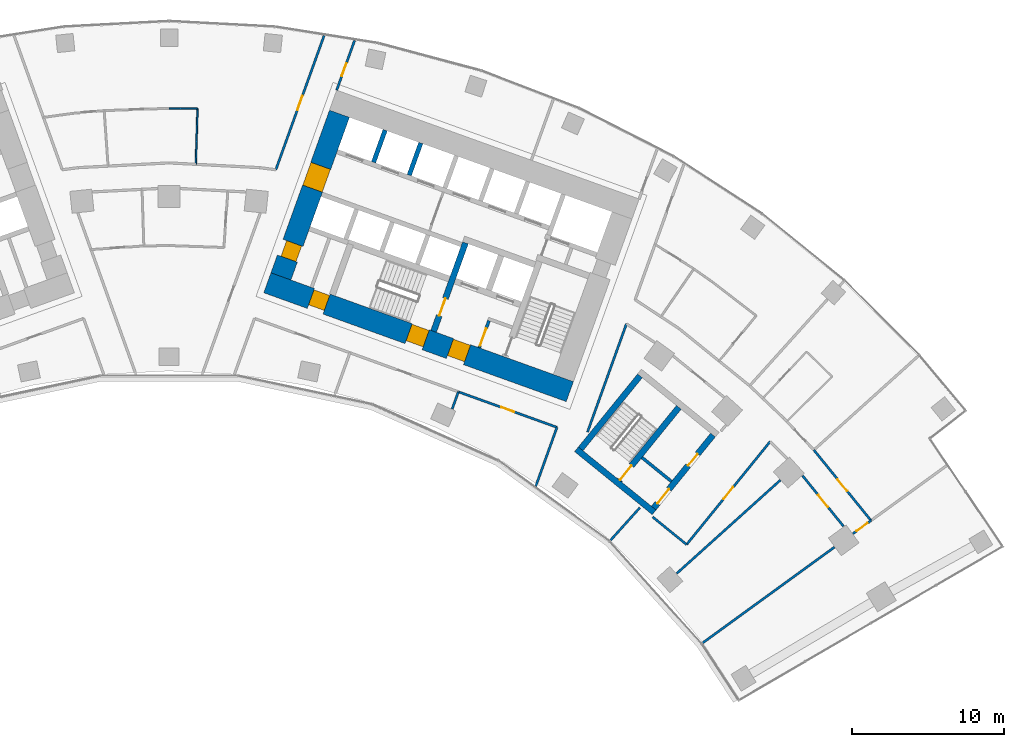
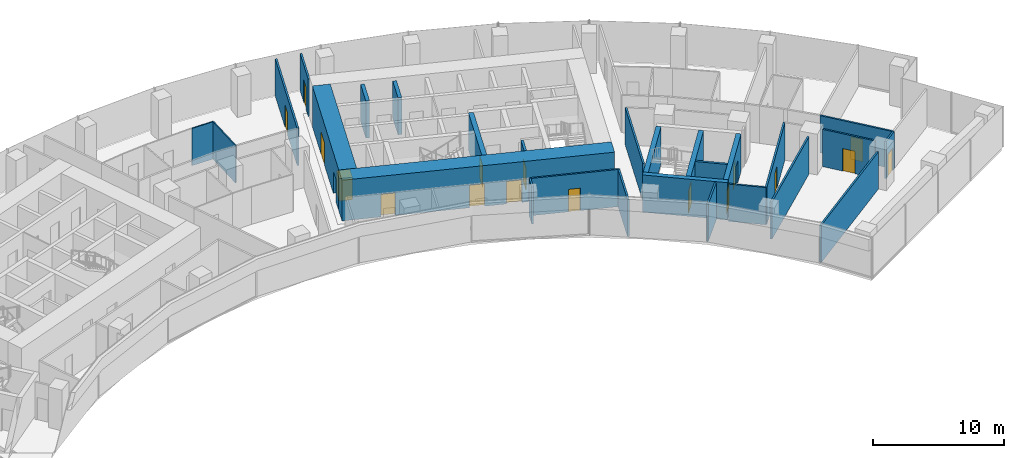
# One storey, part 16 of 21: 27 walls, 17 doors, 17 openings.
"""IFC4 building model written with IfcOpenShell, lengths in metres."""

from ifc_helpers import new_model, si_unit, direction, frame, frame_2d, origin, place, context, subcontext, project, spatial, rectangle, extrude, material, layer, layer_set, type_object, element, fill, save


model = new_model("IFC4")

# Units and contexts
model_context = context("Model", 3, precision=1e-05, world=origin(), true_north=direction((0.0, 1.0)))
body_context = subcontext(model_context, "Body", "Model", "MODEL_VIEW")
ifc_project = project(units=[si_unit("LENGTHUNIT", "METRE"), si_unit("AREAUNIT", "SQUARE_METRE"), si_unit("VOLUMEUNIT", "CUBIC_METRE"), si_unit("PLANEANGLEUNIT", "RADIAN"), si_unit("MASSUNIT", "GRAM", prefix="KILO")], contexts=[model_context])

# Site, building, storey
site_placement = place(None, origin())
site = spatial("IfcSite", under=ifc_project, at=site_placement, CompositionType="ELEMENT")
building_placement = place(site_placement, origin())
building = spatial("IfcBuilding", under=site, at=building_placement, Name="Stone Belt Terrace Tower", CompositionType="ELEMENT")
storey_placement = place(building_placement, frame((0.0, 0.0, 117.39990234375)))
storey = spatial("IfcBuildingStorey", under=building, at=storey_placement, Name="L28", CompositionType="ELEMENT", Elevation=117.39990234375)

# Wall, openings, doors
ifc_material_1 = material(Name="Concrete B80", Category="concrete")
ifc_layer_1 = layer(ifc_material_1, 1.39990234375)
ifc_layer_set_1 = layer_set([ifc_layer_1], Name="Core wall 1400 B80")
wall_type_1 = type_object("IfcWallType", Name="Core wall 1400 B80", PredefinedType="SHEAR", material=ifc_layer_set_1)
wall_1_placement = place(storey_placement, frame((6.4833984375, 49.318115234375, 0.0), z_axis=(0.0, 0.0, 1.0), x_axis=(0.940923374003, -0.33861955681, 0.0)))
wall_1 = element("IfcWall", 1, at=wall_1_placement, inside=storey, type_object=wall_type_1, Name="Core B wall concave L28", PredefinedType="SHEAR", context=body_context, shape_type="SweptSolid", body=[
    extrude(rectangle(XDim=21.199951171875, YDim=1.39990234375, at=frame_2d((10.60009765625, 0.0))), origin(), (0.0, 0.0, 1.0), 3.800048828125),
])
opening_1_placement = place(wall_1_placement, frame((12.800048828125, 0.0, 0.0)))
opening_1 = element("IfcOpeningElement", 2, at=opening_1_placement, cuts=wall_1, Name="Opening L28-C18", PredefinedType="OPENING", context=body_context, shape_type="SweptSolid", body=[
    extrude(rectangle(XDim=1.199951171875, YDim=2.10009765625, at=frame_2d((0.60009765625, 1.050048828125))), frame((0.0, 0.7099609375, 0.0), z_axis=(0.0, -1.0, 0.0), x_axis=(1.0, 0.0, 0.0)), (0.0, 0.0, 1.0), 1.419921875),
])
opening_2_placement = place(wall_1_placement, frame((9.89990234375, 0.0, 0.0)))
opening_2 = element("IfcOpeningElement", 3, at=opening_2_placement, cuts=wall_1, Name="Opening L28-C20", PredefinedType="OPENING", context=body_context, shape_type="SweptSolid", body=[
    extrude(rectangle(XDim=1.199951171875, YDim=2.10009765625, at=frame_2d((0.60009765625, 1.050048828125))), frame((0.0, 0.7099609375, 0.0), z_axis=(0.0, -1.0, 0.0), x_axis=(1.0, 0.0, 0.0)), (0.0, 0.0, 1.0), 1.419921875),
])
opening_3_placement = place(wall_1_placement, frame((3.050048828125, 0.0, 0.0)))
opening_3 = element("IfcOpeningElement", 4, at=opening_3_placement, cuts=wall_1, Name="Opening L28-C22", PredefinedType="OPENING", context=body_context, shape_type="SweptSolid", body=[
    extrude(rectangle(XDim=1.10009765625, YDim=2.10009765625, at=frame_2d((0.550048828125, 1.050048828125))), frame((0.0, 0.7099609375, 0.0), z_axis=(0.0, -1.0, 0.0), x_axis=(1.0, 0.0, 0.0)), (0.0, 0.0, 1.0), 1.419921875),
])
ifc_material_2 = material(Name="Timber door leaf", Category="wood")
door_type_1 = type_object("IfcDoorType", Name="Core room door 1100", OperationType="SINGLE_SWING_LEFT", PredefinedType="DOOR", material=ifc_material_2)
door_1_placement = place(opening_3_placement, origin())
door_1 = element("IfcDoor", 5, at=door_1_placement, inside=storey, type_object=door_type_1, Name="Door to Communications riser room core B", OperationType="SINGLE_SWING_RIGHT", OverallHeight=2.10009765625, OverallWidth=1.10009765625, PredefinedType="DOOR", context=body_context, shape_type="SweptSolid", body=[
    extrude(rectangle(XDim=1.10009765625, YDim=2.10009765625, at=frame_2d((0.550048828125, 1.050048828125))), frame((0.0, 0.60498046875, 0.0), z_axis=(0.0, -1.0, 0.0), x_axis=(1.0, 0.0, 0.0)), (0.0, 0.0, 1.0), 1.050048828125),
])
fill(opening_3, door_1)
ifc_material_3 = material(Name="Steel door leaf", Category="steel")
door_type_2 = type_object("IfcDoorType", Name="Fire-fighting lobby door 1200", OperationType="SINGLE_SWING_LEFT", PredefinedType="DOOR", material=ifc_material_3)
door_2_placement = place(opening_1_placement, origin())
door_2 = element("IfcDoor", 6, at=door_2_placement, inside=storey, type_object=door_type_2, Name="Fire-fighting lobby door core B", OperationType="SINGLE_SWING_RIGHT", OverallHeight=2.10009765625, OverallWidth=1.199951171875, PredefinedType="DOOR", context=body_context, shape_type="SweptSolid", body=[
    extrude(rectangle(XDim=1.199951171875, YDim=2.10009765625, at=frame_2d((0.60009765625, 1.050048828125))), frame((0.0, 0.655029296875, 0.0), z_axis=(0.0, -1.0, 0.0), x_axis=(1.0, 0.0, 0.0)), (0.0, 0.0, 1.0), 1.14990234375),
])
fill(opening_1, door_2)
door_type_3 = type_object("IfcDoorType", Name="Stair door 1200", OperationType="SINGLE_SWING_LEFT", PredefinedType="DOOR", material=ifc_material_3)
door_3_placement = place(opening_2_placement, origin())
door_3 = element("IfcDoor", 7, at=door_3_placement, inside=storey, type_object=door_type_3, Name="Stair 2 exit door core B", OperationType="SINGLE_SWING_LEFT", OverallHeight=2.10009765625, OverallWidth=1.199951171875, PredefinedType="DOOR", context=body_context, shape_type="SweptSolid", body=[
    extrude(rectangle(XDim=1.199951171875, YDim=2.10009765625, at=frame_2d((0.60009765625, 1.050048828125))), frame((0.0, 0.655029296875, 0.0), z_axis=(0.0, -1.0, 0.0), x_axis=(1.0, 0.0, 0.0)), (0.0, 0.0, 1.0), 1.14990234375),
])
fill(opening_2, door_3)

wall_2_placement = place(storey_placement, frame((7.379150390625, 49.73974609375, 0.0), z_axis=(0.0, 0.0, 1.0), x_axis=(0.338625431531, 0.940921259788, 0.0)))
wall_2 = element("IfcWall", 8, at=wall_2_placement, inside=storey, type_object=wall_type_1, Name="Core B wall end_a L28", PredefinedType="SHEAR", context=body_context, shape_type="SweptSolid", body=[
    extrude(rectangle(XDim=11.400146484375, YDim=1.39990234375, at=frame_2d((5.7001953125, 0.0))), origin(), (0.0, 0.0, 1.0), 3.800048828125),
])
opening_4_placement = place(wall_2_placement, frame((6.14990234375, 0.0, 0.0)))
opening_4 = element("IfcOpeningElement", 9, at=opening_4_placement, cuts=wall_2, Name="Opening L28-C15", PredefinedType="OPENING", context=body_context, shape_type="SweptSolid", body=[
    extrude(rectangle(XDim=1.60009765625, YDim=2.10009765625, at=frame_2d((0.800048828125, 1.050048828125))), frame((0.0, 0.7099609375, 0.0), z_axis=(0.0, -1.0, 0.0), x_axis=(1.0, 0.0, 0.0)), (0.0, 0.0, 1.0), 1.419921875),
])
opening_5_placement = place(wall_2_placement, frame((1.25, 0.0, 0.0)))
opening_5 = element("IfcOpeningElement", 10, at=opening_5_placement, cuts=wall_2, Name="Opening L28-C21", PredefinedType="OPENING", context=body_context, shape_type="SweptSolid", body=[
    extrude(rectangle(XDim=1.10009765625, YDim=2.10009765625, at=frame_2d((0.550048828125, 1.050048828125))), frame((0.0, 0.7099609375, 0.0), z_axis=(0.0, -1.0, 0.0), x_axis=(1.0, 0.0, 0.0)), (0.0, 0.0, 1.0), 1.419921875),
])
door_4_placement = place(opening_5_placement, origin())
door_4 = element("IfcDoor", 11, at=door_4_placement, inside=storey, type_object=door_type_1, Name="Door to Cleaner's store core B", OperationType="SINGLE_SWING_LEFT", OverallHeight=2.10009765625, OverallWidth=1.10009765625, PredefinedType="DOOR", context=body_context, shape_type="SweptSolid", body=[
    extrude(rectangle(XDim=1.10009765625, YDim=2.10009765625, at=frame_2d((0.550048828125, 1.050048828125))), frame((0.0, 0.44482421875, 0.0), z_axis=(0.0, -1.0, 0.0), x_axis=(1.0, 0.0, 0.0)), (0.0, 0.0, 1.0), 1.050048828125),
])
fill(opening_5, door_4)
ifc_material_4 = material(Name="Glazed aluminium door leaf", Category="aluminium")
door_type_4 = type_object("IfcDoorType", Name="Lift lobby entrance door 1600", OperationType="DOUBLE_DOOR_SINGLE_SWING", PredefinedType="DOOR", material=ifc_material_4)
door_5_placement = place(opening_4_placement, origin())
door_5 = element("IfcDoor", 12, at=door_5_placement, inside=storey, type_object=door_type_4, Name="Lift lobby entrance door core B", OperationType="DOUBLE_DOOR_SINGLE_SWING", OverallHeight=2.10009765625, OverallWidth=1.60009765625, PredefinedType="DOOR", context=body_context, shape_type="SweptSolid", body=[
    extrude(rectangle(XDim=1.60009765625, YDim=2.10009765625, at=frame_2d((0.800048828125, 1.050048828125))), frame((0.0, 0.68017578125, 0.0), z_axis=(0.0, -1.0, 0.0), x_axis=(1.0, 0.0, 0.0)), (0.0, 0.0, 1.0), 1.360107421875),
])
fill(opening_4, door_5)

# Walls
ifc_layer_2 = layer(ifc_material_1, 0.300048828125)
ifc_layer_set_2 = layer_set([ifc_layer_2], Name="Lift shaft wall 300")
wall_type_2 = type_object("IfcWallType", Name="Lift shaft wall 300", PredefinedType="SHEAR", material=ifc_layer_set_2)
wall_3_placement = place(storey_placement, frame((15.8408203125, 56.419189453125, 0.0), z_axis=(0.0, 0.0, 1.0), x_axis=(0.338569601369, 0.940941350472, 0.0)))
element("IfcWall", 13, at=wall_3_placement, inside=storey, type_object=wall_type_2, Name="Core B wall", PredefinedType="SHEAR", context=body_context, shape_type="SweptSolid", body=[
    extrude(rectangle(XDim=2.249755859375, YDim=0.300048828125, at=frame_2d((1.125, 0.0))), origin(), (0.0, 0.0, 1.0), 3.47998046875),
])
wall_4_placement = place(storey_placement, frame((13.48828125, 57.265625, 0.0), z_axis=(0.0, 0.0, 1.0), x_axis=(0.338631098537, 0.940919220286, 0.0)))
element("IfcWall", 14, at=wall_4_placement, inside=storey, type_object=wall_type_2, Name="Core B wall", PredefinedType="SHEAR", context=body_context, shape_type="SweptSolid", body=[
    extrude(rectangle(XDim=2.250244140625, YDim=0.300048828125, at=frame_2d((1.125, 0.0))), origin(), (0.0, 0.0, 1.0), 3.47998046875),
])
ifc_material_5 = material(Name="Gypsum board partition")
ifc_layer_3 = layer(ifc_material_5, 0.10009765625)
ifc_layer_set_3 = layer_set([ifc_layer_3], Name="PARTITION 100")
wall_type_3 = type_object("IfcWallType", Name="PARTITION 100", PredefinedType="PARTITIONING", material=ifc_layer_set_3)
wall_5_placement = place(storey_placement, frame((1.762939453125, 57.133056640625, 0.0), z_axis=(0.0, 0.0, 1.0), x_axis=(0.031112039382, 0.999515903328, 0.0)))
element("IfcWall", 15, at=wall_5_placement, inside=storey, type_object=wall_type_3, Name="L28/wall/i102", PredefinedType="PARTITIONING", context=body_context, shape_type="SweptSolid", body=[
    extrude(rectangle(XDim=3.66455078125, YDim=0.10009765625, at=frame_2d((1.832275390625, 0.0))), origin(), (0.0, 0.0, 1.0), 3.47998046875),
])
wall_6_placement = place(storey_placement, frame((1.876953125, 60.7958984375, 0.0), z_axis=(0.0, 0.0, 1.0), x_axis=(-0.999880226939, 0.015476814127, 0.0)))
element("IfcWall", 16, at=wall_6_placement, inside=storey, type_object=wall_type_3, Name="L28/wall/i103", PredefinedType="PARTITIONING", context=body_context, shape_type="SweptSolid", body=[
    extrude(rectangle(XDim=1.877197265625, YDim=0.10009765625, at=frame_2d((0.9384765625, 0.0))), origin(), (0.0, 0.0, 1.0), 3.47998046875),
])

# Wall, opening, door
ifc_layer_4 = layer(ifc_material_5, 0.14990234375)
ifc_layer_set_4 = layer_set([ifc_layer_4], Name="PARTITION 150 EI 60")
wall_type_4 = type_object("IfcWallType", Name="PARTITION 150 EI 60", PredefinedType="PARTITIONING", material=ifc_layer_set_4)
wall_7_placement = place(storey_placement, frame((12.23486328125, 65.297119140625, 0.0), z_axis=(0.0, 0.0, 1.0), x_axis=(-0.338853532575, -0.94083913793, 0.0)))
wall_7 = element("IfcWall", 17, at=wall_7_placement, inside=storey, type_object=wall_type_4, Name="L28/wall/i022", PredefinedType="PARTITIONING", context=body_context, shape_type="SweptSolid", body=[
    extrude(rectangle(XDim=3.482177734375, YDim=0.14990234375, at=frame_2d((1.7412109375, 0.0))), origin(), (0.0, 0.0, 1.0), 3.47998046875),
])
opening_6_placement = place(wall_7_placement, frame((1.58837890625, 0.0, 0.0)))
opening_6 = element("IfcOpeningElement", 18, at=opening_6_placement, cuts=wall_7, Name="Opening D-B4-09", PredefinedType="OPENING", context=body_context, shape_type="SweptSolid", body=[
    extrude(rectangle(XDim=0.89990234375, YDim=2.10009765625, at=frame_2d((0.449951171875, 1.050048828125))), frame((0.0, 0.0849609375, 0.0), z_axis=(0.0, -1.0, 0.0), x_axis=(1.0, 0.0, 0.0)), (0.0, 0.0, 1.0), 0.169921875),
])
door_type_5 = type_object("IfcDoorType", Name="OFFICE DOOR 900 X 2100", OperationType="NOTDEFINED", PredefinedType="DOOR", material=ifc_material_2)
door_6_placement = place(opening_6_placement, origin())
door_6 = element("IfcDoor", 19, at=door_6_placement, inside=storey, type_object=door_type_5, Name="L28/door/i09", OperationType="SINGLE_SWING_RIGHT", OverallHeight=2.10009765625, OverallWidth=0.89990234375, PredefinedType="DOOR", context=body_context, shape_type="SweptSolid", body=[
    extrude(rectangle(XDim=0.89990234375, YDim=2.10009765625, at=frame_2d((0.449951171875, 1.050048828125))), frame((0.0, 0.02490234375, 0.0), z_axis=(0.0, -1.0, 0.0), x_axis=(1.0, 0.0, 0.0)), (0.0, 0.0, 1.0), 0.050048828125),
])
fill(opening_6, door_6)

wall_8_placement = place(storey_placement, frame((7.0390625, 56.76708984375, 0.0), z_axis=(0.0, 0.0, 1.0), x_axis=(0.338637655092, 0.940916860596, 0.0)))
wall_8 = element("IfcWall", 20, at=wall_8_placement, inside=storey, type_object=wall_type_4, Name="L28/wall/i024", PredefinedType="PARTITIONING", context=body_context, shape_type="SweptSolid", body=[
    extrude(rectangle(XDim=9.40478515625, YDim=0.14990234375, at=frame_2d((4.702392578125, 0.0))), origin(), (0.0, 0.0, 1.0), 3.47998046875),
])
opening_7_placement = place(wall_8_placement, frame((4.202392578125, 0.0, 0.0)))
opening_7 = element("IfcOpeningElement", 21, at=opening_7_placement, cuts=wall_8, Name="Opening D-B4-31", PredefinedType="OPENING", context=body_context, shape_type="SweptSolid", body=[
    extrude(rectangle(XDim=1.0, YDim=2.10009765625, at=frame_2d((0.5, 1.050048828125))), frame((0.0, 0.0849609375, 0.0), z_axis=(0.0, -1.0, 0.0), x_axis=(1.0, 0.0, 0.0)), (0.0, 0.0, 1.0), 0.169921875),
])
ifc_material_6 = material(Name="Timber fire door leaf", Category="wood")
door_type_6 = type_object("IfcDoorType", Name="TENANCY ENTRANCE DOOR 1000 X 2100", OperationType="NOTDEFINED", PredefinedType="DOOR", material=ifc_material_6)
door_7_placement = place(opening_7_placement, origin())
door_7 = element("IfcDoor", 22, at=door_7_placement, inside=storey, type_object=door_type_6, Name="L28/door/i31", OperationType="SINGLE_SWING_RIGHT", OverallHeight=2.10009765625, OverallWidth=1.0, PredefinedType="DOOR", context=body_context, shape_type="SweptSolid", body=[
    extrude(rectangle(XDim=1.0, YDim=2.10009765625, at=frame_2d((0.5, 1.050048828125))), frame((0.0, 0.02490234375, 0.0), z_axis=(0.0, -1.0, 0.0), x_axis=(1.0, 0.0, 0.0)), (0.0, 0.0, 1.0), 0.050048828125),
])
fill(opening_7, door_7)

# Walls
wall_9_placement = place(storey_placement, frame((24.18603515625, 35.902099609375, 0.0), z_axis=(0.0, 0.0, 1.0), x_axis=(0.338545933013, 0.940949866486, 0.0)))
element("IfcWall", 23, at=wall_9_placement, inside=storey, type_object=wall_type_4, Name="L28/wall/i025", PredefinedType="PARTITIONING", context=body_context, shape_type="SweptSolid", body=[
    extrude(rectangle(XDim=4.135009765625, YDim=0.14990234375, at=frame_2d((2.0673828125, 0.0))), origin(), (0.0, 0.0, 1.0), 3.47998046875),
])
wall_10_placement = place(storey_placement, frame((30.1669921875, 46.612060546875, 0.0), z_axis=(0.0, 0.0, 1.0), x_axis=(-0.338694393991, -0.940896438233, 0.0)))
element("IfcWall", 24, at=wall_10_placement, inside=storey, type_object=wall_type_4, Name="L28/wall/i027", PredefinedType="PARTITIONING", context=body_context, shape_type="SweptSolid", body=[
    extrude(rectangle(XDim=7.585205078125, YDim=0.14990234375, at=frame_2d((3.79248046875, 0.0))), origin(), (0.0, 0.0, 1.0), 3.47998046875),
])
wall_11_placement = place(storey_placement, frame((31.054931640625, 34.489990234375, 0.0), z_axis=(0.0, 0.0, 1.0), x_axis=(-0.669108362487, -0.743164853347, 0.0)))
element("IfcWall", 25, at=wall_11_placement, inside=storey, type_object=wall_type_4, Name="L28/wall/i028", PredefinedType="PARTITIONING", context=body_context, shape_type="SweptSolid", body=[
    extrude(rectangle(XDim=2.910888671875, YDim=0.14990234375, at=frame_2d((1.45556640625, 0.0))), origin(), (0.0, 0.0, 1.0), 3.47998046875),
])

# Wall, opening, door
wall_12_placement = place(storey_placement, frame((25.583984375, 39.787109375, 0.0), z_axis=(0.0, 0.0, 1.0), x_axis=(-0.940925641698, 0.338613255493, 0.0)))
wall_12 = element("IfcWall", 26, at=wall_12_placement, inside=storey, type_object=wall_type_4, Name="L28/wall/i033", PredefinedType="PARTITIONING", context=body_context, shape_type="SweptSolid", body=[
    extrude(rectangle(XDim=6.918701171875, YDim=0.14990234375, at=frame_2d((3.45947265625, 0.0))), origin(), (0.0, 0.0, 1.0), 3.47998046875),
])
opening_8_placement = place(wall_12_placement, frame((3.00927734375, 0.0, 0.0)))
opening_8 = element("IfcOpeningElement", 27, at=opening_8_placement, cuts=wall_12, Name="Opening D-B4-08", PredefinedType="OPENING", context=body_context, shape_type="SweptSolid", body=[
    extrude(rectangle(XDim=0.89990234375, YDim=2.10009765625, at=frame_2d((0.449951171875, 1.050048828125))), frame((0.0, 0.0849609375, 0.0), z_axis=(0.0, -1.0, 0.0), x_axis=(1.0, 0.0, 0.0)), (0.0, 0.0, 1.0), 0.169921875),
])
door_8_placement = place(opening_8_placement, origin())
door_8 = element("IfcDoor", 28, at=door_8_placement, inside=storey, type_object=door_type_5, Name="L28/door/i08", OperationType="SINGLE_SWING_RIGHT", OverallHeight=2.10009765625, OverallWidth=0.89990234375, PredefinedType="DOOR", context=body_context, shape_type="SweptSolid", body=[
    extrude(rectangle(XDim=0.89990234375, YDim=2.10009765625, at=frame_2d((0.449951171875, 1.050048828125))), frame((0.0, 0.02490234375, 0.0), z_axis=(0.0, -1.0, 0.0), x_axis=(1.0, 0.0, 0.0)), (0.0, 0.0, 1.0), 0.050048828125),
])
fill(opening_8, door_8)

# Wall
wall_13_placement = place(storey_placement, frame((19.080078125, 42.1279296875, 0.0), z_axis=(0.0, 0.0, 1.0), x_axis=(-0.338669018445, -0.940905572279, 0.0)))
element("IfcWall", 29, at=wall_13_placement, inside=storey, type_object=wall_type_4, Name="L28/wall/i035", PredefinedType="PARTITIONING", context=body_context, shape_type="SweptSolid", body=[
    extrude(rectangle(XDim=1.199462890625, YDim=0.14990234375, at=frame_2d((0.599609375, 0.0))), origin(), (0.0, 0.0, 1.0), 3.47998046875),
])

# Wall, opening, door
wall_14_placement = place(storey_placement, frame((46.301025390625, 33.638916015625, 0.0), z_axis=(0.0, 0.0, 1.0), x_axis=(-0.809407972322, -0.587246740597, 0.0)))
wall_14 = element("IfcWall", 30, at=wall_14_placement, inside=storey, type_object=wall_type_4, Name="L28/wall/i054", PredefinedType="PARTITIONING", context=body_context, shape_type="SweptSolid", body=[
    extrude(rectangle(XDim=1.475830078125, YDim=0.14990234375, at=frame_2d((0.73779296875, 0.0))), origin(), (0.0, 0.0, 1.0), 3.47998046875),
])
opening_9_placement = place(wall_14_placement, frame((0.287841796875, 0.0, 0.0)))
opening_9 = element("IfcOpeningElement", 31, at=opening_9_placement, cuts=wall_14, Name="Opening D-B4-18", PredefinedType="OPENING", context=body_context, shape_type="SweptSolid", body=[
    extrude(rectangle(XDim=0.89990234375, YDim=2.10009765625, at=frame_2d((0.449951171875, 1.050048828125))), frame((0.0, 0.0849609375, 0.0), z_axis=(0.0, -1.0, 0.0), x_axis=(1.0, 0.0, 0.0)), (0.0, 0.0, 1.0), 0.169921875),
])
door_9_placement = place(opening_9_placement, origin())
door_9 = element("IfcDoor", 32, at=door_9_placement, inside=storey, type_object=door_type_5, Name="L28/door/i18", OperationType="SINGLE_SWING_RIGHT", OverallHeight=2.10009765625, OverallWidth=0.89990234375, PredefinedType="DOOR", context=body_context, shape_type="SweptSolid", body=[
    extrude(rectangle(XDim=0.89990234375, YDim=2.10009765625, at=frame_2d((0.449951171875, 1.050048828125))), frame((0.0, 0.02490234375, 0.0), z_axis=(0.0, -1.0, 0.0), x_axis=(1.0, 0.0, 0.0)), (0.0, 0.0, 1.0), 0.050048828125),
])
fill(opening_9, door_9)

# Wall
wall_15_placement = place(storey_placement, frame((35.192138671875, 25.568115234375, 0.0), z_axis=(0.0, 0.0, 1.0), x_axis=(0.809024841759, 0.587774451143, 0.0)))
element("IfcWall", 33, at=wall_15_placement, inside=storey, type_object=wall_type_4, Name="L28/wall/i055", PredefinedType="PARTITIONING", context=body_context, shape_type="SweptSolid", body=[
    extrude(rectangle(XDim=10.745361328125, YDim=0.14990234375, at=frame_2d((5.37255859375, 0.0))), origin(), (0.0, 0.0, 1.0), 3.47998046875),
])

# Wall, opening, door
wall_16_placement = place(storey_placement, frame((44.485107421875, 33.253662109375, 0.0), z_axis=(0.0, 0.0, 1.0), x_axis=(-0.629214542808, 0.777231663739, 0.0)))
wall_16 = element("IfcWall", 34, at=wall_16_placement, inside=storey, type_object=wall_type_4, Name="L28/wall/i066", PredefinedType="PARTITIONING", context=body_context, shape_type="SweptSolid", body=[
    extrude(rectangle(XDim=4.304931640625, YDim=0.14990234375, at=frame_2d((2.15234375, 0.0))), origin(), (0.0, 0.0, 1.0), 3.47998046875),
])
opening_10_placement = place(wall_16_placement, frame((1.652587890625, 0.0, 0.0)))
opening_10 = element("IfcOpeningElement", 35, at=opening_10_placement, cuts=wall_16, Name="Opening D-B4-21", PredefinedType="OPENING", context=body_context, shape_type="SweptSolid", body=[
    extrude(rectangle(XDim=1.0, YDim=2.10009765625, at=frame_2d((0.5, 1.050048828125))), frame((0.0, 0.0849609375, 0.0), z_axis=(0.0, -1.0, 0.0), x_axis=(1.0, 0.0, 0.0)), (0.0, 0.0, 1.0), 0.169921875),
])
door_10_placement = place(opening_10_placement, origin())
door_10 = element("IfcDoor", 36, at=door_10_placement, inside=storey, type_object=door_type_6, Name="L28/door/i21", OperationType="SINGLE_SWING_RIGHT", OverallHeight=2.10009765625, OverallWidth=1.0, PredefinedType="DOOR", context=body_context, shape_type="SweptSolid", body=[
    extrude(rectangle(XDim=1.0, YDim=2.10009765625, at=frame_2d((0.5, 1.050048828125))), frame((0.0, 0.02490234375, 0.0), z_axis=(0.0, -1.0, 0.0), x_axis=(1.0, 0.0, 0.0)), (0.0, 0.0, 1.0), 0.050048828125),
])
fill(opening_10, door_10)

wall_17_placement = place(storey_placement, frame((42.527099609375, 38.2900390625, 0.0), z_axis=(0.0, 0.0, 1.0), x_axis=(0.629322532513, -0.77714422733, 0.0)))
wall_17 = element("IfcWall", 37, at=wall_17_placement, inside=storey, type_object=wall_type_4, Name="L28/wall/i069", PredefinedType="PARTITIONING", context=body_context, shape_type="SweptSolid", body=[
    extrude(rectangle(XDim=5.98876953125, YDim=0.14990234375, at=frame_2d((2.994384765625, 0.0))), origin(), (0.0, 0.0, 1.0), 3.47998046875),
])
opening_11_placement = place(wall_17_placement, frame((2.494384765625, 0.0, 0.0)))
opening_11 = element("IfcOpeningElement", 38, at=opening_11_placement, cuts=wall_17, Name="Opening D-B4-27", PredefinedType="OPENING", context=body_context, shape_type="SweptSolid", body=[
    extrude(rectangle(XDim=1.0, YDim=2.10009765625, at=frame_2d((0.5, 1.050048828125))), frame((0.0, 0.0849609375, 0.0), z_axis=(0.0, -1.0, 0.0), x_axis=(1.0, 0.0, 0.0)), (0.0, 0.0, 1.0), 0.169921875),
])
door_11_placement = place(opening_11_placement, origin())
door_11 = element("IfcDoor", 39, at=door_11_placement, inside=storey, type_object=door_type_6, Name="L28/door/i27", OperationType="SINGLE_SWING_RIGHT", OverallHeight=2.10009765625, OverallWidth=1.0, PredefinedType="DOOR", context=body_context, shape_type="SweptSolid", body=[
    extrude(rectangle(XDim=1.0, YDim=2.10009765625, at=frame_2d((0.5, 1.050048828125))), frame((0.0, 0.02490234375, 0.0), z_axis=(0.0, -1.0, 0.0), x_axis=(1.0, 0.0, 0.0)), (0.0, 0.0, 1.0), 0.050048828125),
])
fill(opening_11, door_11)

wall_18_placement = place(storey_placement, frame((39.64599609375, 38.84912109375, 0.0), z_axis=(0.0, 0.0, 1.0), x_axis=(-0.630141823003, -0.776480059566, 0.0)))
wall_18 = element("IfcWall", 40, at=wall_18_placement, inside=storey, type_object=wall_type_4, Name="L28/wall/i071", PredefinedType="PARTITIONING", context=body_context, shape_type="SweptSolid", body=[
    extrude(rectangle(XDim=8.748779296875, YDim=0.14990234375, at=frame_2d((4.37451171875, 0.0))), origin(), (0.0, 0.0, 1.0), 3.47998046875),
])
opening_12_placement = place(wall_18_placement, frame((3.874267578125, 0.0, 0.0)))
opening_12 = element("IfcOpeningElement", 41, at=opening_12_placement, cuts=wall_18, Name="Opening D-B4-20", PredefinedType="OPENING", context=body_context, shape_type="SweptSolid", body=[
    extrude(rectangle(XDim=1.0, YDim=2.10009765625, at=frame_2d((0.5, 1.050048828125))), frame((0.0, 0.0849609375, 0.0), z_axis=(0.0, -1.0, 0.0), x_axis=(1.0, 0.0, 0.0)), (0.0, 0.0, 1.0), 0.169921875),
])
door_12_placement = place(opening_12_placement, origin())
door_12 = element("IfcDoor", 42, at=door_12_placement, inside=storey, type_object=door_type_6, Name="L28/door/i20", OperationType="SINGLE_SWING_RIGHT", OverallHeight=2.10009765625, OverallWidth=1.0, PredefinedType="DOOR", context=body_context, shape_type="SweptSolid", body=[
    extrude(rectangle(XDim=1.0, YDim=2.10009765625, at=frame_2d((0.5, 1.050048828125))), frame((0.0, 0.02490234375, 0.0), z_axis=(0.0, -1.0, 0.0), x_axis=(1.0, 0.0, 0.0)), (0.0, 0.0, 1.0), 0.050048828125),
])
fill(opening_12, door_12)

# Walls
wall_19_placement = place(storey_placement, frame((34.133056640625, 32.055908203125, 0.0), z_axis=(0.0, 0.0, 1.0), x_axis=(-0.776369956068, 0.630277471686, 0.0)))
element("IfcWall", 43, at=wall_19_placement, inside=storey, type_object=wall_type_4, Name="L28/wall/i072", PredefinedType="PARTITIONING", context=body_context, shape_type="SweptSolid", body=[
    extrude(rectangle(XDim=2.8876953125, YDim=0.14990234375, at=frame_2d((1.44384765625, 0.0))), origin(), (0.0, 0.0, 1.0), 3.47998046875),
])
wall_20_placement = place(storey_placement, frame((40.311767578125, 36.297119140625, 0.0), z_axis=(0.0, 0.0, 1.0), x_axis=(-0.74312513137, -0.669152478233, 0.0)))
element("IfcWall", 44, at=wall_20_placement, inside=storey, type_object=wall_type_4, Name="L28/wall/i073", PredefinedType="PARTITIONING", context=body_context, shape_type="SweptSolid", body=[
    extrude(rectangle(XDim=9.195068359375, YDim=0.14990234375, at=frame_2d((4.59765625, 0.0))), origin(), (0.0, 0.0, 1.0), 3.47998046875),
])

# Wall, opening, door
ifc_material_7 = material(Name="Concrete masonry block", Category="masonry")
ifc_layer_5 = layer(ifc_material_7, 0.199951171875)
ifc_layer_set_5 = layer_set([ifc_layer_5], Name="Rated lobby wall 200")
wall_type_5 = type_object("IfcWallType", Name="Rated lobby wall 200", PredefinedType="PARTITIONING", material=ifc_layer_set_5)
wall_21_placement = place(storey_placement, frame((20.4580078125, 45.032958984375, 0.0), z_axis=(0.0, 0.0, 1.0), x_axis=(0.338573865316, 0.940939816208, 0.0)))
wall_21 = element("IfcWall", 45, at=wall_21_placement, inside=storey, type_object=wall_type_5, Name="Core B wall", PredefinedType="PARTITIONING", context=body_context, shape_type="SweptSolid", body=[
    extrude(rectangle(XDim=1.900146484375, YDim=0.199951171875, at=frame_2d((0.9501953125, 0.0))), origin(), (0.0, 0.0, 1.0), 3.47998046875),
])
opening_13_placement = place(wall_21_placement, frame((0.14990234375, 0.0, 0.0)))
opening_13 = element("IfcOpeningElement", 46, at=opening_13_placement, cuts=wall_21, Name="Opening L28-C17", PredefinedType="OPENING", context=body_context, shape_type="SweptSolid", body=[
    extrude(rectangle(XDim=1.199951171875, YDim=2.10009765625, at=frame_2d((0.60009765625, 1.050048828125))), frame((0.0, 0.10986328125, 0.0), z_axis=(0.0, -1.0, 0.0), x_axis=(1.0, 0.0, 0.0)), (0.0, 0.0, 1.0), 0.219970703125),
])
door_13_placement = place(opening_13_placement, origin())
door_13 = element("IfcDoor", 47, at=door_13_placement, inside=storey, type_object=door_type_3, Name="Stair airlock door core B", OperationType="SINGLE_SWING_RIGHT", OverallHeight=2.10009765625, OverallWidth=1.199951171875, PredefinedType="DOOR", context=body_context, shape_type="SweptSolid", body=[
    extrude(rectangle(XDim=1.199951171875, YDim=2.10009765625, at=frame_2d((0.60009765625, 1.050048828125))), frame((0.0, 0.02490234375, 0.0), z_axis=(0.0, -1.0, 0.0), x_axis=(1.0, 0.0, 0.0)), (0.0, 0.0, 1.0), 0.050048828125),
])
fill(opening_13, door_13)

# Wall
wall_22_placement = place(storey_placement, frame((31.190673828125, 37.79296875, 0.0), z_axis=(0.0, 0.0, 1.0), x_axis=(0.776370830301, -0.630276394813, 0.0)))
element("IfcWall", 48, at=wall_22_placement, inside=storey, type_object=wall_type_5, Name="Exit stair ST3B wall", PredefinedType="PARTITIONING", context=body_context, shape_type="SweptSolid", body=[
    extrude(rectangle(XDim=2.5, YDim=0.199951171875, at=frame_2d((1.25, 0.0))), origin(), (0.0, 0.0, 1.0), 3.47998046875),
])

# Wall, opening, door
ifc_layer_6 = layer(ifc_material_1, 0.39990234375)
ifc_layer_set_6 = layer_set([ifc_layer_6], Name="Stair enclosure wall 400")
wall_type_6 = type_object("IfcWallType", Name="Stair enclosure wall 400", PredefinedType="SHEAR", material=ifc_layer_set_6)
wall_23_placement = place(storey_placement, frame((17.447021484375, 46.116455078125, 0.0), z_axis=(0.0, 0.0, 1.0), x_axis=(0.33860791464, 0.940927563707, 0.0)))
wall_23 = element("IfcWall", 49, at=wall_23_placement, inside=storey, type_object=wall_type_6, Name="Core B wall", PredefinedType="SHEAR", context=body_context, shape_type="SweptSolid", body=[
    extrude(rectangle(XDim=6.199951171875, YDim=0.39990234375, at=frame_2d((3.10009765625, 0.0))), origin(), (0.0, 0.0, 1.0), 3.47998046875),
])
opening_14_placement = place(wall_23_placement, frame((1.10009765625, 0.0, 0.0)))
opening_14 = element("IfcOpeningElement", 50, at=opening_14_placement, cuts=wall_23, Name="Opening L28-C19", PredefinedType="OPENING", context=body_context, shape_type="SweptSolid", body=[
    extrude(rectangle(XDim=1.199951171875, YDim=2.10009765625, at=frame_2d((0.60009765625, 1.050048828125))), frame((0.0, 0.2099609375, 0.0), z_axis=(0.0, -1.0, 0.0), x_axis=(1.0, 0.0, 0.0)), (0.0, 0.0, 1.0), 0.419921875),
])
door_14_placement = place(opening_14_placement, origin())
door_14 = element("IfcDoor", 51, at=door_14_placement, inside=storey, type_object=door_type_3, Name="Stair 2 door core B", OperationType="SINGLE_SWING_RIGHT", OverallHeight=2.10009765625, OverallWidth=1.199951171875, PredefinedType="DOOR", context=body_context, shape_type="SweptSolid", body=[
    extrude(rectangle(XDim=1.199951171875, YDim=2.10009765625, at=frame_2d((0.60009765625, 1.050048828125))), frame((0.0, 0.02490234375, 0.0), z_axis=(0.0, -1.0, 0.0), x_axis=(1.0, 0.0, 0.0)), (0.0, 0.0, 1.0), 0.050048828125),
])
fill(opening_14, door_14)

# Walls
wall_24_placement = place(storey_placement, frame((26.868408203125, 38.3388671875, 0.0), z_axis=(0.0, 0.0, 1.0), x_axis=(0.776428452498, -0.630205409491, 0.0)))
element("IfcWall", 52, at=wall_24_placement, inside=storey, type_object=wall_type_6, Name="Exit stair ST3B wall", PredefinedType="SHEAR", context=body_context, shape_type="SweptSolid", body=[
    extrude(rectangle(XDim=6.60009765625, YDim=0.39990234375, at=frame_2d((3.300048828125, 0.0))), origin(), (0.0, 0.0, 1.0), 3.47998046875),
])
wall_25_placement = place(storey_placement, frame((27.149658203125, 38.3681640625, 0.0), z_axis=(0.0, 0.0, 1.0), x_axis=(0.630211551729, 0.776423466973, 0.0)))
element("IfcWall", 53, at=wall_25_placement, inside=storey, type_object=wall_type_6, Name="Exit stair ST3B wall", PredefinedType="SHEAR", context=body_context, shape_type="SweptSolid", body=[
    extrude(rectangle(XDim=6.199951171875, YDim=0.39990234375, at=frame_2d((3.10009765625, 0.0))), origin(), (0.0, 0.0, 1.0), 3.47998046875),
])

# Wall, openings, doors
wall_26_placement = place(storey_placement, frame((31.963623046875, 34.460693359375, 0.0), z_axis=(0.0, 0.0, 1.0), x_axis=(0.630192283849, 0.776439106033, 0.0)))
wall_26 = element("IfcWall", 54, at=wall_26_placement, inside=storey, type_object=wall_type_6, Name="Exit stair ST3B wall", PredefinedType="SHEAR", context=body_context, shape_type="SweptSolid", body=[
    extrude(rectangle(XDim=6.199951171875, YDim=0.39990234375, at=frame_2d((3.10009765625, 0.0))), origin(), (0.0, 0.0, 1.0), 3.47998046875),
])
opening_15_placement = place(wall_26_placement, frame((0.39990234375, 0.0, 0.0)))
opening_15 = element("IfcOpeningElement", 55, at=opening_15_placement, cuts=wall_26, Name="Opening L28-C27", PredefinedType="OPENING", context=body_context, shape_type="SweptSolid", body=[
    extrude(rectangle(XDim=1.199951171875, YDim=2.10009765625, at=frame_2d((0.60009765625, 1.050048828125))), frame((0.0, 0.2099609375, 0.0), z_axis=(0.0, -1.0, 0.0), x_axis=(1.0, 0.0, 0.0)), (0.0, 0.0, 1.0), 0.419921875),
])
opening_16_placement = place(wall_26_placement, frame((3.60009765625, 0.0, 0.0)))
opening_16 = element("IfcOpeningElement", 56, at=opening_16_placement, cuts=wall_26, Name="Opening L28-C28", PredefinedType="OPENING", context=body_context, shape_type="SweptSolid", body=[
    extrude(rectangle(XDim=1.0, YDim=2.10009765625, at=frame_2d((0.5, 1.050048828125))), frame((0.0, 0.2099609375, 0.0), z_axis=(0.0, -1.0, 0.0), x_axis=(1.0, 0.0, 0.0)), (0.0, 0.0, 1.0), 0.419921875),
])
door_type_7 = type_object("IfcDoorType", Name="Core room door 1000", OperationType="SINGLE_SWING_LEFT", PredefinedType="DOOR", material=ifc_material_2)
door_15_placement = place(opening_16_placement, origin())
door_15 = element("IfcDoor", 57, at=door_15_placement, inside=storey, type_object=door_type_7, Name="Door to stair pressurisation plant room ST3B", OperationType="SINGLE_SWING_LEFT", OverallHeight=2.10009765625, OverallWidth=1.0, PredefinedType="DOOR", context=body_context, shape_type="SweptSolid", body=[
    extrude(rectangle(XDim=1.0, YDim=2.10009765625, at=frame_2d((0.5, 1.050048828125))), frame((0.0, 0.02490234375, 0.0), z_axis=(0.0, -1.0, 0.0), x_axis=(1.0, 0.0, 0.0)), (0.0, 0.0, 1.0), 0.050048828125),
])
fill(opening_16, door_15)
door_type_8 = type_object("IfcDoorType", Name="Stair airlock door 1200", OperationType="SINGLE_SWING_LEFT", PredefinedType="DOOR", material=ifc_material_3)
door_16_placement = place(opening_15_placement, origin())
door_16 = element("IfcDoor", 58, at=door_16_placement, inside=storey, type_object=door_type_8, Name="Stair airlock door ST3B", OperationType="SINGLE_SWING_LEFT", OverallHeight=2.10009765625, OverallWidth=1.199951171875, PredefinedType="DOOR", context=body_context, shape_type="SweptSolid", body=[
    extrude(rectangle(XDim=1.199951171875, YDim=2.10009765625, at=frame_2d((0.60009765625, 1.050048828125))), frame((0.0, 0.02490234375, 0.0), z_axis=(0.0, -1.0, 0.0), x_axis=(1.0, 0.0, 0.0)), (0.0, 0.0, 1.0), 0.050048828125),
])
fill(opening_15, door_16)

# Wall, opening, door
wall_27_placement = place(storey_placement, frame((29.7119140625, 36.288330078125, 0.0), z_axis=(0.0, 0.0, 1.0), x_axis=(0.630192283849, 0.776439106033, 0.0)))
wall_27 = element("IfcWall", 59, at=wall_27_placement, inside=storey, type_object=wall_type_6, Name="Exit stair ST3B wall", PredefinedType="SHEAR", context=body_context, shape_type="SweptSolid", body=[
    extrude(rectangle(XDim=6.199951171875, YDim=0.39990234375, at=frame_2d((3.10009765625, 0.0))), origin(), (0.0, 0.0, 1.0), 3.47998046875),
])
opening_17_placement = place(wall_27_placement, frame((0.050048828125, 0.0, 0.0)))
opening_17 = element("IfcOpeningElement", 60, at=opening_17_placement, cuts=wall_27, Name="Opening L28-C26", PredefinedType="OPENING", context=body_context, shape_type="SweptSolid", body=[
    extrude(rectangle(XDim=1.199951171875, YDim=2.10009765625, at=frame_2d((0.60009765625, 1.050048828125))), frame((0.0, 0.2099609375, 0.0), z_axis=(0.0, -1.0, 0.0), x_axis=(1.0, 0.0, 0.0)), (0.0, 0.0, 1.0), 0.419921875),
])
door_17_placement = place(opening_17_placement, origin())
door_17 = element("IfcDoor", 61, at=door_17_placement, inside=storey, type_object=door_type_3, Name="Stair door ST3B", OperationType="SINGLE_SWING_RIGHT", OverallHeight=2.10009765625, OverallWidth=1.199951171875, PredefinedType="DOOR", context=body_context, shape_type="SweptSolid", body=[
    extrude(rectangle(XDim=1.199951171875, YDim=2.10009765625, at=frame_2d((0.60009765625, 1.050048828125))), frame((0.0, 0.02490234375, 0.0), z_axis=(0.0, -1.0, 0.0), x_axis=(1.0, 0.0, 0.0)), (0.0, 0.0, 1.0), 0.050048828125),
])
fill(opening_17, door_17)

save(model, "model.ifc")
